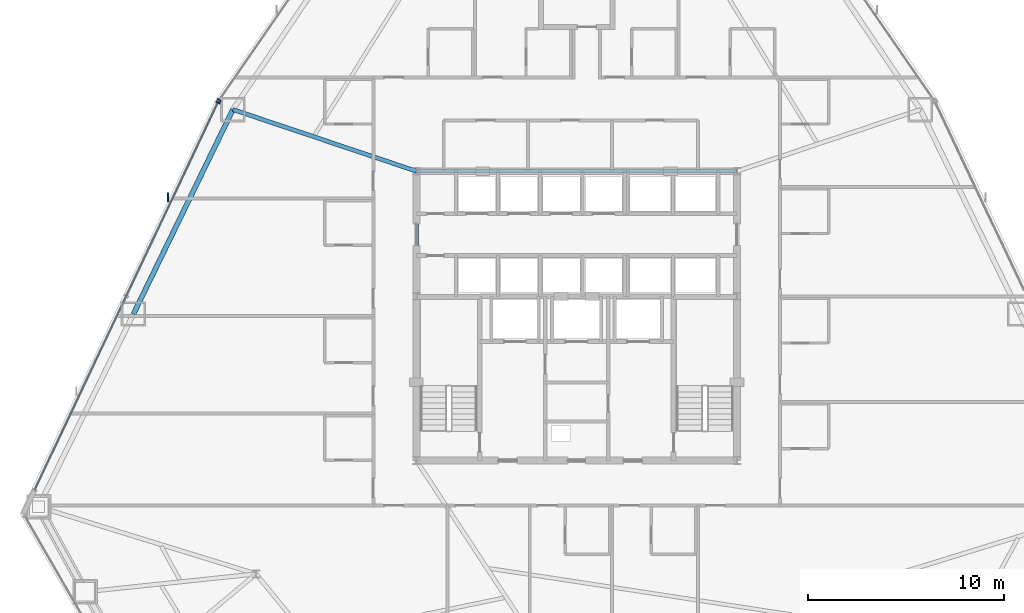
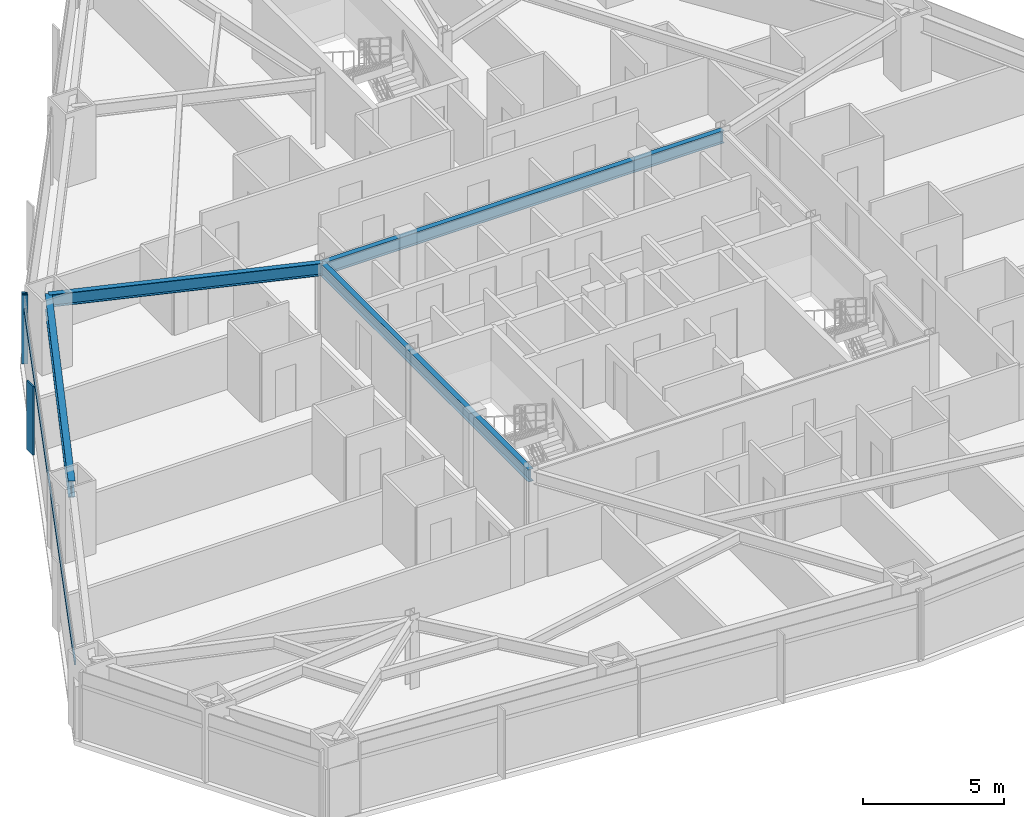
# One storey, part 5 of 13: 4 beams, 4 members, 2 elements without a shape of their own.
"""IFC4 building model written with IfcOpenShell, lengths in metres."""

from ifc_helpers import new_model, si_unit, direction, frame, origin, origin_2d, place, context, subcontext, project, spatial, rectangle, i_section, extrude, source, transform, mapped, material, layer, layer_set, material_profile, profile_set, type_object, type_shapes, element, aggregate, save


model = new_model("IFC4")

# Units and contexts
model_context = context("Model", 3, precision=1e-05, world=origin(), true_north=direction((0.0, 1.0)))
body_context = subcontext(model_context, "Body", "Model", "MODEL_VIEW")
ifc_project = project(units=[si_unit("LENGTHUNIT", "METRE"), si_unit("AREAUNIT", "SQUARE_METRE"), si_unit("VOLUMEUNIT", "CUBIC_METRE"), si_unit("PLANEANGLEUNIT", "RADIAN"), si_unit("MASSUNIT", "GRAM", prefix="KILO")], contexts=[model_context])

# Site, building, storey
site_placement = place(None, origin())
site = spatial("IfcSite", under=ifc_project, at=site_placement, CompositionType="ELEMENT")
building_placement = place(site_placement, origin())
building = spatial("IfcBuilding", under=site, at=building_placement, Name="Varakhsha Concourse Tower", CompositionType="ELEMENT")
storey_placement = place(building_placement, frame((0.0, 0.0, 46.39990234375)))
storey = spatial("IfcBuildingStorey", under=building, at=storey_placement, Name="L12", CompositionType="ELEMENT", Elevation=46.39990234375)

# Beams
ifc_material_1 = material(Name="Structural Steel ASTM A992 Grade 50", Category="steel")
ifc_material_profile_1 = material_profile(ifc_material_1, i_section(OverallWidth=0.2109375, OverallDepth=0.5390625, WebThickness=0.011962890625, FlangeThickness=0.01904296875, at=origin_2d()), Name="W21X73")
ifc_profile_set_1 = profile_set([ifc_material_profile_1], Name="Structural Steel ASTM A992 Grade 50")
beam_type_1 = type_object("IfcBeamType", Name="BM-RAD-W21X73", PredefinedType="BEAM", material=ifc_profile_set_1)
beam_1_placement = place(storey_placement, frame((31.800048828125, 31.199951171875, 2.710693359375), z_axis=(1.0, 0.0, 0.0), x_axis=(0.0, 1.0, 0.0)))
element("IfcBeam", 1, at=beam_1_placement, inside=storey, type_object=beam_type_1, Name="BM-TCORE-L12-CN", PredefinedType="BEAM", context=body_context, shape_type="SweptSolid", body=[
    extrude(i_section(OverallWidth=0.2109375, OverallDepth=0.5390625, WebThickness=0.011962890625, FlangeThickness=0.01904296875, at=origin_2d()), origin(), (0.0, 0.0, 1.0), 16.39990234375),
])
beam_2_placement = place(storey_placement, frame((31.800048828125, 16.39990234375, 2.710693359375), z_axis=(0.0, 1.0, 0.0), x_axis=(-1.0, 0.0, 0.0)))
element("IfcBeam", 2, at=beam_2_placement, inside=storey, type_object=beam_type_1, Name="BM-TCORE-L12-CW", PredefinedType="BEAM", context=body_context, shape_type="SweptSolid", body=[
    extrude(i_section(OverallWidth=0.2109375, OverallDepth=0.5390625, WebThickness=0.011962890625, FlangeThickness=0.01904296875, at=origin_2d()), origin(), (0.0, 0.0, 1.0), 14.800048828125),
])
beam_3_placement = place(storey_placement, frame((31.800048828125, 31.199951171875, 2.710693359375), z_axis=(-0.947972870005, 0.318351123345, 0.0), x_axis=(-0.318351123345, -0.947972870005, 0.0)))
element("IfcBeam", 3, at=beam_3_placement, inside=storey, type_object=beam_type_1, Name="L12 Radial Floor Girder 05", PredefinedType="BEAM", context=body_context, shape_type="SweptSolid", body=[
    extrude(i_section(OverallWidth=0.2109375, OverallDepth=0.5390625, WebThickness=0.011962890625, FlangeThickness=0.01904296875, at=origin_2d()), origin(), (0.0, 0.0, 1.0), 9.89599609375),
])
ifc_material_profile_2 = material_profile(ifc_material_1, i_section(OverallWidth=0.25390625, OverallDepth=0.701904296875, WebThickness=0.014892578125, FlangeThickness=0.028076171875, at=origin_2d()), Name="W27X129")
ifc_profile_set_2 = profile_set([ifc_material_profile_2], Name="Structural Steel ASTM A992 Grade 50")
beam_type_2 = type_object("IfcBeamType", Name="BM-SPAN-W27X129", PredefinedType="SPANDREL", material=ifc_profile_set_2)
beam_4_placement = place(storey_placement, frame((22.4189453125, 34.350341796875, 2.629150390625), z_axis=(-0.437581332588, -0.899178835032, 0.0), x_axis=(0.899178835032, -0.437581332588, 0.0)))
element("IfcBeam", 4, at=beam_4_placement, inside=storey, type_object=beam_type_2, Name="BM-SPAN-L12-05", PredefinedType="SPANDREL", context=body_context, shape_type="SweptSolid", body=[
    extrude(i_section(OverallWidth=0.25390625, OverallDepth=0.701904296875, WebThickness=0.014892578125, FlangeThickness=0.028076171875, at=origin_2d()), origin(), (0.0, 0.0, 1.0), 11.629638671875),
])

# Curtain wall, member
ifc_material_2 = material(Name="Anodised Bronze Architectural Aluminium AA 6063-T6", Category="aluminium")
ifc_layer = layer(ifc_material_2, 0.219970703125, Name="CW-SYS-02")
ifc_layer_set = layer_set([ifc_layer], Name="Anodised Bronze Architectural Aluminium AA 6063-T6")
curtain_wall_type = type_object("IfcCurtainWallType", Name="CW-SYS-02", PredefinedType="NOTDEFINED", material=ifc_layer_set)
curtain_wall_1_placement = place(storey_placement, origin())
curtain_wall_1 = element("IfcCurtainWall", 5, at=curtain_wall_1_placement, inside=storey, type_object=curtain_wall_type, Name="L12 Crystal Curtain Wall F2", PredefinedType="NOTDEFINED")
ifc_material_profile_3 = material_profile(ifc_material_2, rectangle(XDim=0.074951171875, YDim=0.219970703125, at=origin_2d()), Name="CWM-220X75")
ifc_profile_set_3 = profile_set([ifc_material_profile_3], Name="Anodised Bronze Architectural Aluminium AA 6063-T6")
member_type_1 = type_object("IfcMemberType", Name="CWM-220X75", PredefinedType="MULLION", material=ifc_profile_set_3)
shared_shape_1 = source(origin(), body_context, "Body", "SweptSolid", [
    extrude(rectangle(XDim=0.074951171875, YDim=0.219970703125, at=origin_2d()), origin(), (0.0, 0.0, 1.0), 2.97998046875),
])
type_shapes(member_type_1, [shared_shape_1])
member_1_placement = place(storey_placement, frame((21.719482421875, 34.8310546875, 0.0), z_axis=(0.0, 0.0, 1.0), x_axis=(0.569057091236, 0.822298015877, 0.0)))
member_1 = element("IfcMember", 6, at=member_1_placement, type_object=member_type_1, Name="CW-L12-F2 Mullion 00", PredefinedType="MULLION", context=body_context, shape_type="MappedRepresentation", body=[
    mapped(shared_shape_1, transform((0.0, 0.0, 0.0), scale=1.0)),
])
aggregate(curtain_wall_1, [member_1])

# Curtain wall, members
curtain_wall_2_placement = place(storey_placement, origin())
curtain_wall_2 = element("IfcCurtainWall", 7, at=curtain_wall_2_placement, inside=storey, type_object=curtain_wall_type, Name="L12 Crystal Curtain Wall F3", PredefinedType="NOTDEFINED")
member_2_placement = place(storey_placement, frame((21.65283203125, 34.7158203125, 0.0), z_axis=(0.0, 0.0, 1.0), x_axis=(0.427604003332, 0.903966158844, 0.0)))
member_2 = element("IfcMember", 8, at=member_2_placement, type_object=member_type_1, Name="CW-L12-F3 Mullion 02", PredefinedType="MULLION", context=body_context, shape_type="MappedRepresentation", body=[
    mapped(shared_shape_1, transform((0.0, 0.0, 0.0), scale=1.0)),
])
ifc_material_profile_4 = material_profile(ifc_material_2, rectangle(XDim=0.06494140625, YDim=0.449951171875, at=origin_2d()), Name="FIN-BRZ-450")
ifc_profile_set_4 = profile_set([ifc_material_profile_4], Name="Anodised Bronze Architectural Aluminium AA 6063-T6")
member_type_2 = type_object("IfcMemberType", Name="FIN-BRZ-450", PredefinedType="USERDEFINED", material=ifc_profile_set_4)
shared_shape_2 = source(origin(), body_context, "Body", "SweptSolid", [
    extrude(rectangle(XDim=0.06494140625, YDim=0.449951171875, at=origin_2d()), origin(), (0.0, 0.0, 1.0), 2.97998046875),
])
type_shapes(member_type_2, [shared_shape_2])
member_3_placement = place(storey_placement, frame((19.09228515625, 29.864013671875, 0.0), z_axis=(0.0, 0.0, 1.0), x_axis=(1.0, 0.0, 0.0)))
member_3 = element("IfcMember", 9, at=member_3_placement, type_object=member_type_2, Name="L12 Anodised Bronze Solar Fin F3-2", ObjectType="SOLAR FIN", PredefinedType="USERDEFINED", context=body_context, shape_type="MappedRepresentation", body=[
    mapped(shared_shape_2, transform((0.0, 0.0, 0.0), scale=1.0)),
])
ifc_material_profile_5 = material_profile(ifc_material_2, rectangle(XDim=0.06494140625, YDim=0.159912109375, at=origin_2d()), Name="CWT-160X65")
ifc_profile_set_5 = profile_set([ifc_material_profile_5], Name="Anodised Bronze Architectural Aluminium AA 6063-T6")
member_type_3 = type_object("IfcMemberType", Name="CWT-160X65", PredefinedType="USERDEFINED", material=ifc_profile_set_5)
shared_shape_3 = source(origin(), body_context, "Body", "SweptSolid", [
    extrude(rectangle(XDim=0.06494140625, YDim=0.159912109375, at=origin_2d()), origin(), (0.0, 0.0, 1.0), 21.9228515625),
])
type_shapes(member_type_3, [shared_shape_3])
member_4_placement = place(storey_placement, frame((12.278564453125, 14.898193359375, 2.330078125), z_axis=(0.427600870916, 0.903967640567, 0.0), x_axis=(-0.903967640567, 0.427600870916, 0.0)))
member_4 = element("IfcMember", 10, at=member_4_placement, type_object=member_type_3, Name="CW-L12-F3 Transom 01", ObjectType="TRANSOM", PredefinedType="USERDEFINED", context=body_context, shape_type="MappedRepresentation", body=[
    mapped(shared_shape_3, transform((0.0, 0.0, 0.0), scale=1.0)),
])
aggregate(curtain_wall_2, [member_2, member_4, member_3])

save(model, "model.ifc")
